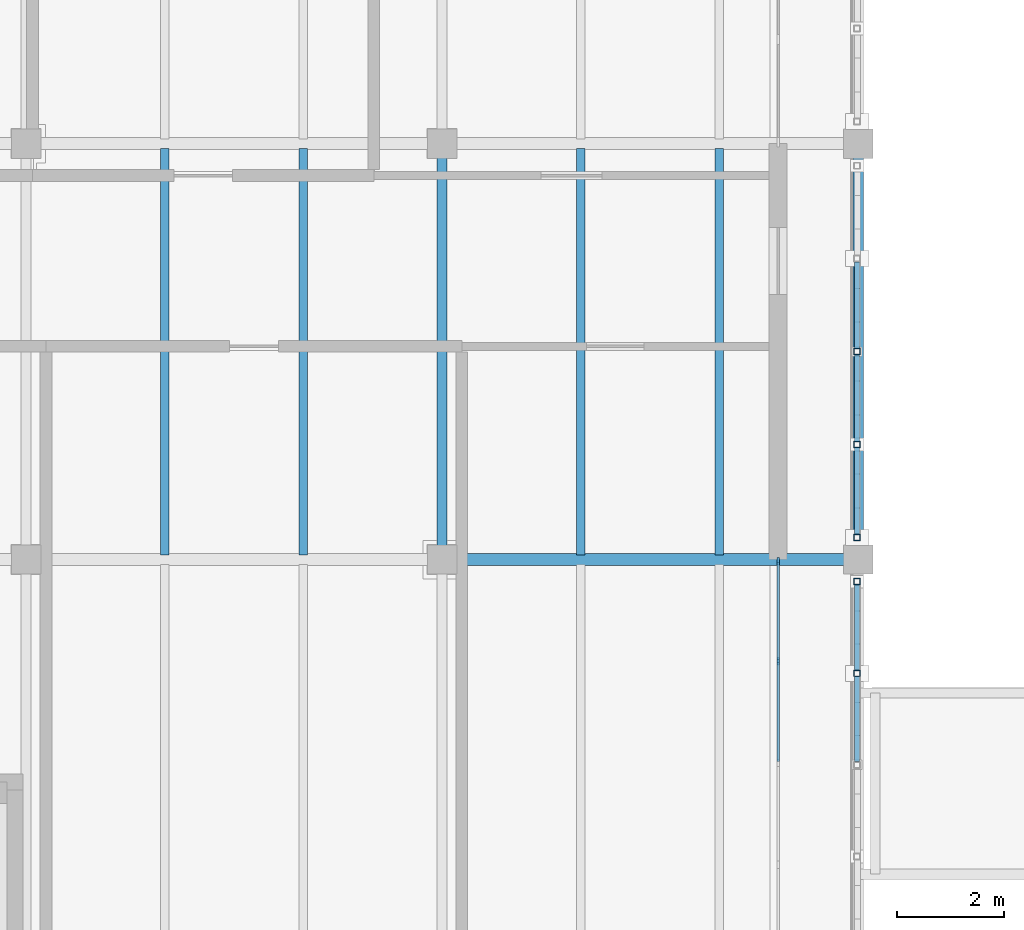
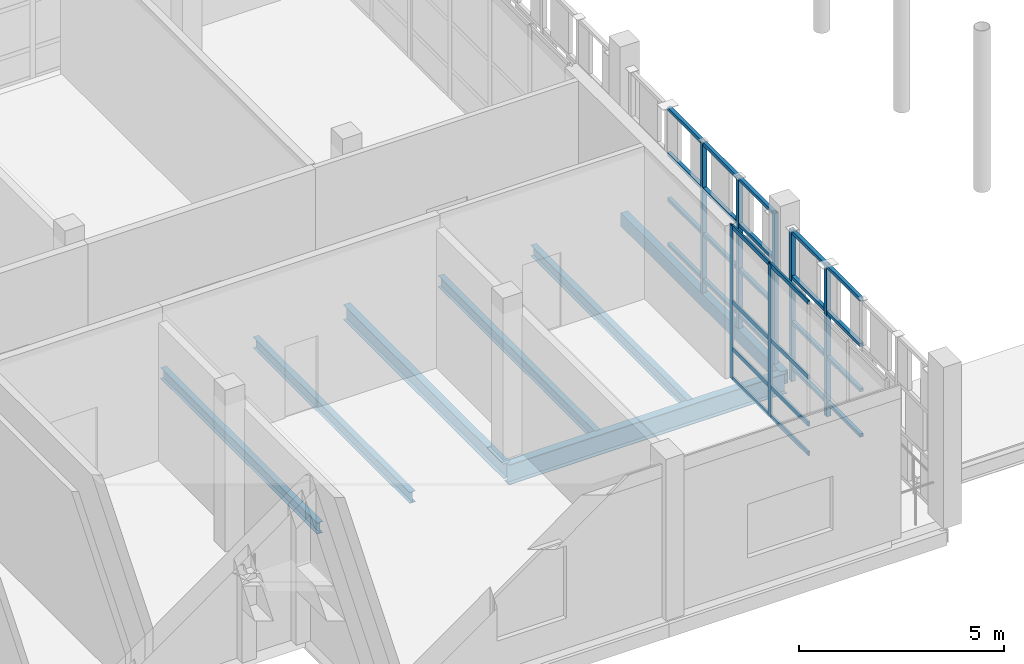
# One storey, part 35 of 138: 35 members, 7 beams, 1 element without a shape of its own.
"""IFC4 building model written with IfcOpenShell, lengths in metres."""

from ifc_helpers import new_model, si_unit, direction, frame, origin, origin_2d, place, context, subcontext, project, spatial, rectangle, hollow_rectangle, i_section, extrude, material, layer, layer_set, material_profile, profile_set, type_object, element, aggregate, save


model = new_model("IFC4")

# Units and contexts
model_context = context("Model", 3, precision=1e-05, world=origin(), true_north=direction((0.0, 1.0)))
body_context = subcontext(model_context, "Body", "Model", "MODEL_VIEW")
ifc_project = project(units=[si_unit("LENGTHUNIT", "METRE"), si_unit("AREAUNIT", "SQUARE_METRE"), si_unit("VOLUMEUNIT", "CUBIC_METRE"), si_unit("PLANEANGLEUNIT", "RADIAN"), si_unit("MASSUNIT", "GRAM", prefix="KILO")], contexts=[model_context])

# Site, building, storey
site_placement = place(None, origin())
site = spatial("IfcSite", under=ifc_project, at=site_placement, CompositionType="ELEMENT")
building_placement = place(site_placement, origin())
building = spatial("IfcBuilding", under=site, at=building_placement, Name="Celorna Specialist Clinic", CompositionType="ELEMENT")
storey_placement = place(building_placement, frame((0.0, 0.0, 4.800048828125)))
storey = spatial("IfcBuildingStorey", under=building, at=storey_placement, Name="L01", CompositionType="ELEMENT", Elevation=4.800048828125)

# Beams
ifc_material_1 = material(Name="Steel S355", Category="steel")
ifc_material_profile_1 = material_profile(ifc_material_1, i_section(OverallWidth=0.219970703125, OverallDepth=0.60009765625, WebThickness=0.011962890625, FlangeThickness=0.01904296875, at=origin_2d()), Name="IPE 600")
ifc_profile_set_1 = profile_set([ifc_material_profile_1], Name="Steel S355")
beam_type_1 = type_object("IfcBeamType", Name="BM-06", PredefinedType="BEAM", material=ifc_profile_set_1)
beam_1_placement = place(storey_placement, frame((39.0, 42.89990234375, -0.64013671875), z_axis=(1.0, 0.0, 0.0), x_axis=(0.0, 1.0, 0.0)))
element("IfcBeam", 1, at=beam_1_placement, inside=storey, type_object=beam_type_1, Name="Primary girder BM-06 #368", PredefinedType="BEAM", context=body_context, shape_type="SweptSolid", body=[
    extrude(i_section(OverallWidth=0.219970703125, OverallDepth=0.60009765625, WebThickness=0.011962890625, FlangeThickness=0.01904296875, at=origin_2d()), origin(), (0.0, 0.0, 1.0), 7.800048828125),
])
ifc_material_profile_2 = material_profile(ifc_material_1, i_section(OverallWidth=0.18994140625, OverallDepth=0.449951171875, WebThickness=0.009521484375, FlangeThickness=0.0146484375, at=origin_2d()), Name="IPE 450")
ifc_profile_set_2 = profile_set([ifc_material_profile_2], Name="Steel S355")
beam_type_2 = type_object("IfcBeamType", Name="BM-09", PredefinedType="BEAM", material=ifc_profile_set_2)
beam_2_placement = place(storey_placement, frame((39.0, 42.89990234375, -0.56494140625), z_axis=(0.0, 1.0, 0.0), x_axis=(-1.0, 0.0, 0.0)))
element("IfcBeam", 2, at=beam_2_placement, inside=storey, type_object=beam_type_2, Name="Transverse girder BM-09 #407", PredefinedType="BEAM", context=body_context, shape_type="SweptSolid", body=[
    extrude(i_section(OverallWidth=0.18994140625, OverallDepth=0.449951171875, WebThickness=0.009521484375, FlangeThickness=0.0146484375, at=origin_2d()), origin(), (0.0, 0.0, 1.0), 7.800048828125),
])
ifc_material_profile_3 = material_profile(ifc_material_1, i_section(OverallWidth=0.159912109375, OverallDepth=0.330078125, WebThickness=0.007568359375, FlangeThickness=0.011474609375, at=origin_2d()), Name="IPE 330")
ifc_profile_set_3 = profile_set([ifc_material_profile_3], Name="Steel S355")
beam_type_3 = type_object("IfcBeamType", Name="BM-12", PredefinedType="JOIST", material=ifc_profile_set_3)
for number, where, z_axis, x_axis, name in (
    (3, (33.800048828125, 42.988037109375, -0.505126953125), (0.0, 1.0, 0.0), (-1.0, 0.0, 0.0), "Secondary floor joist BM-12 #440"),
    (4, (36.39990234375, 42.988037109375, -0.505126953125), (0.0, 1.0, 0.0), (-1.0, 0.0, 0.0), "Secondary floor joist BM-12 #441"),
    (5, (41.60009765625, 42.988037109375, -0.505126953125), (0.0, 1.0, 0.0), (-1.0, 0.0, 0.0), "Secondary floor joist BM-12 #448"),
    (6, (44.199951171875, 42.988037109375, -0.505126953125), (0.0, 1.0, 0.0), (-1.0, 0.0, 0.0), "Secondary floor joist BM-12 #449"),
):
    element("IfcBeam", number, at=place(storey_placement, frame(where, z_axis=z_axis, x_axis=x_axis)), inside=storey, type_object=beam_type_3, Name=name, PredefinedType="JOIST", context=body_context, shape_type="SweptSolid", body=[
        extrude(i_section(OverallWidth=0.159912109375, OverallDepth=0.330078125, WebThickness=0.007568359375, FlangeThickness=0.011474609375, at=origin_2d()), origin(), (0.0, 0.0, 1.0), 7.6240234375),
    ])
ifc_material_profile_4 = material_profile(ifc_material_1, hollow_rectangle(XDim=0.199951171875, YDim=0.39990234375, WallThickness=0.011962890625, at=origin_2d()), Name="RHS 200x400x12")
ifc_profile_set_4 = profile_set([ifc_material_profile_4], Name="Steel S355")
beam_type_4 = type_object("IfcBeamType", Name="BM-15", PredefinedType="SPANDREL", material=ifc_profile_set_4)
beam_3_placement = place(storey_placement, frame((46.800048828125, 42.89990234375, -0.5400390625), z_axis=(0.0, 1.0, 0.0), x_axis=(-1.0, 0.0, 0.0)))
element("IfcBeam", 7, at=beam_3_placement, inside=storey, type_object=beam_type_4, Name="Spandrel beam BM-15 #411", PredefinedType="SPANDREL", context=body_context, shape_type="SweptSolid", body=[
    extrude(hollow_rectangle(XDim=0.199951171875, YDim=0.39990234375, WallThickness=0.011962890625, at=origin_2d()), origin(), (0.0, 0.0, 1.0), 7.800048828125),
])

# Members
ifc_material_profile_5 = material_profile(ifc_material_1, hollow_rectangle(XDim=0.1201171875, YDim=0.1201171875, WallThickness=0.008056640625, at=origin_2d()), Name="SHS 120x120x8")
ifc_profile_set_5 = profile_set([ifc_material_profile_5], Name="Steel S355")
member_type_1 = type_object("IfcMemberType", Name="MB-11", PredefinedType="STUD", material=ifc_profile_set_5)
for number, where, z_axis, x_axis, name in (
    (8, (46.780029296875, 40.767578125, -0.360107421875), (0.0, 0.0, 1.0), (1.0, 0.0, 0.0), "Perforated screen steel post #1468"),
    (9, (46.780029296875, 42.485107421875, -0.360107421875), (0.0, 0.0, 1.0), (1.0, 0.0, 0.0), "Perforated screen steel post #1469"),
    (10, (46.780029296875, 43.31494140625, -0.360107421875), (0.0, 0.0, 1.0), (1.0, 0.0, 0.0), "Perforated screen steel post #1486"),
    (11, (46.780029296875, 45.0576171875, -0.360107421875), (0.0, 0.0, 1.0), (1.0, 0.0, 0.0), "Perforated screen steel post #1487"),
    (12, (46.780029296875, 46.800048828125, -0.360107421875), (0.0, 0.0, 1.0), (1.0, 0.0, 0.0), "Perforated screen steel post #1488"),
):
    element("IfcMember", number, at=place(storey_placement, frame(where, z_axis=z_axis, x_axis=x_axis)), inside=storey, type_object=member_type_1, Name=name, PredefinedType="STUD", context=body_context, shape_type="SweptSolid", body=[
        extrude(hollow_rectangle(XDim=0.1201171875, YDim=0.1201171875, WallThickness=0.008056640625, at=origin_2d()), origin(), (0.0, 0.0, 1.0), 4.5),
    ])
ifc_material_profile_6 = material_profile(ifc_material_1, hollow_rectangle(XDim=0.10009765625, YDim=0.10009765625, WallThickness=0.006103515625, at=origin_2d()), Name="SHS 100x100x6")
ifc_profile_set_6 = profile_set([ifc_material_profile_6], Name="Steel S355")
member_type_2 = type_object("IfcMemberType", Name="MB-12", PredefinedType="STUD", material=ifc_profile_set_6)
for number, where, z_axis, x_axis, name in (
    (13, (46.780029296875, 39.110107421875, 0.050048828125), (0.0, 1.0, 0.0), (-1.0, 0.0, 0.0), "Perforated screen rail #1478"),
    (14, (46.780029296875, 39.110107421875, 1.396728515625), (0.0, 1.0, 0.0), (-1.0, 0.0, 0.0), "Perforated screen rail #1479"),
    (15, (46.780029296875, 39.110107421875, 2.7431640625), (0.0, 1.0, 0.0), (-1.0, 0.0, 0.0), "Perforated screen rail #1480"),
    (16, (46.780029296875, 39.110107421875, 4.08984375), (0.0, 1.0, 0.0), (-1.0, 0.0, 0.0), "Perforated screen rail #1481"),
):
    element("IfcMember", number, at=place(storey_placement, frame(where, z_axis=z_axis, x_axis=x_axis)), inside=storey, type_object=member_type_2, Name=name, PredefinedType="STUD", context=body_context, shape_type="SweptSolid", body=[
        extrude(hollow_rectangle(XDim=0.10009765625, YDim=0.10009765625, WallThickness=0.006103515625, at=origin_2d()), origin(), (0.0, 0.0, 1.0), 1.597412109375),
    ])
for number, where, z_axis, x_axis, name in (
    (17, (46.780029296875, 40.827392578125, 0.050048828125), (0.0, 1.0, 0.0), (-1.0, 0.0, 0.0), "Perforated screen rail #1482"),
    (18, (46.780029296875, 40.827392578125, 1.396728515625), (0.0, 1.0, 0.0), (-1.0, 0.0, 0.0), "Perforated screen rail #1483"),
    (19, (46.780029296875, 40.827392578125, 2.7431640625), (0.0, 1.0, 0.0), (-1.0, 0.0, 0.0), "Perforated screen rail #1484"),
    (20, (46.780029296875, 40.827392578125, 4.08984375), (0.0, 1.0, 0.0), (-1.0, 0.0, 0.0), "Perforated screen rail #1485"),
):
    element("IfcMember", number, at=place(storey_placement, frame(where, z_axis=z_axis, x_axis=x_axis)), inside=storey, type_object=member_type_2, Name=name, PredefinedType="STUD", context=body_context, shape_type="SweptSolid", body=[
        extrude(hollow_rectangle(XDim=0.10009765625, YDim=0.10009765625, WallThickness=0.006103515625, at=origin_2d()), origin(), (0.0, 0.0, 1.0), 1.59765625),
    ])
for number, where, z_axis, x_axis, name in (
    (21, (46.780029296875, 43.375, 0.050048828125), (0.0, 1.0, 0.0), (-1.0, 0.0, 0.0), "Perforated screen rail #1491"),
    (22, (46.780029296875, 43.375, 1.396728515625), (0.0, 1.0, 0.0), (-1.0, 0.0, 0.0), "Perforated screen rail #1492"),
    (23, (46.780029296875, 43.375, 2.7431640625), (0.0, 1.0, 0.0), (-1.0, 0.0, 0.0), "Perforated screen rail #1493"),
    (24, (46.780029296875, 43.375, 4.08984375), (0.0, 1.0, 0.0), (-1.0, 0.0, 0.0), "Perforated screen rail #1494"),
    (25, (46.780029296875, 45.117431640625, 0.050048828125), (0.0, 1.0, 0.0), (-1.0, 0.0, 0.0), "Perforated screen rail #1495"),
    (26, (46.780029296875, 45.117431640625, 1.396728515625), (0.0, 1.0, 0.0), (-1.0, 0.0, 0.0), "Perforated screen rail #1496"),
    (27, (46.780029296875, 45.117431640625, 2.7431640625), (0.0, 1.0, 0.0), (-1.0, 0.0, 0.0), "Perforated screen rail #1497"),
    (28, (46.780029296875, 45.117431640625, 4.08984375), (0.0, 1.0, 0.0), (-1.0, 0.0, 0.0), "Perforated screen rail #1498"),
):
    element("IfcMember", number, at=place(storey_placement, frame(where, z_axis=z_axis, x_axis=x_axis)), inside=storey, type_object=member_type_2, Name=name, PredefinedType="STUD", context=body_context, shape_type="SweptSolid", body=[
        extrude(hollow_rectangle(XDim=0.10009765625, YDim=0.10009765625, WallThickness=0.006103515625, at=origin_2d()), origin(), (0.0, 0.0, 1.0), 1.62255859375),
    ])
for number, where, z_axis, x_axis, name in (
    (29, (46.780029296875, 46.860107421875, 0.050048828125), (0.0, 1.0, 0.0), (-1.0, 0.0, 0.0), "Perforated screen rail #1499"),
    (30, (46.780029296875, 46.860107421875, 1.396728515625), (0.0, 1.0, 0.0), (-1.0, 0.0, 0.0), "Perforated screen rail #1500"),
    (31, (46.780029296875, 46.860107421875, 2.7431640625), (0.0, 1.0, 0.0), (-1.0, 0.0, 0.0), "Perforated screen rail #1501"),
    (32, (46.780029296875, 46.860107421875, 4.08984375), (0.0, 1.0, 0.0), (-1.0, 0.0, 0.0), "Perforated screen rail #1502"),
):
    element("IfcMember", number, at=place(storey_placement, frame(where, z_axis=z_axis, x_axis=x_axis)), inside=storey, type_object=member_type_2, Name=name, PredefinedType="STUD", context=body_context, shape_type="SweptSolid", body=[
        extrude(hollow_rectangle(XDim=0.10009765625, YDim=0.10009765625, WallThickness=0.006103515625, at=origin_2d()), origin(), (0.0, 0.0, 1.0), 1.622314453125),
    ])

# Curtain wall, members
ifc_material_2 = material(Name="Thermally broken aluminium and solar-control glass curtain wall", Category="aluminium")
ifc_layer = layer(ifc_material_2, 0.159912109375, Name="Thermally broken aluminium and solar-control glass curtain wall")
ifc_layer_set = layer_set([ifc_layer], Name="Thermally broken aluminium and solar-control glass curtain wall")
curtain_wall_type = type_object("IfcCurtainWallType", Name="CW-25", PredefinedType="NOTDEFINED", material=ifc_layer_set)
curtain_wall_placement = place(storey_placement, origin())
curtain_wall = element("IfcCurtainWall", 33, at=curtain_wall_placement, inside=storey, type_object=curtain_wall_type, Name="Curtain wall CW-25 #54", PredefinedType="NOTDEFINED")
ifc_material_3 = material(Name="Anodized aluminium mullion", Category="aluminium")
ifc_material_profile_7 = material_profile(ifc_material_3, rectangle(XDim=0.050048828125, YDim=0.139892578125, at=origin_2d()), Name="ALU MULLION 50x140")
ifc_profile_set_7 = profile_set([ifc_material_profile_7], Name="Anodized aluminium mullion")
member_type_3 = type_object("IfcMemberType", Name="ML-03", PredefinedType="MULLION", material=ifc_profile_set_7)
member_1_placement = place(storey_placement, frame((45.300048828125, 42.87109375, 0.0), z_axis=(0.0, 0.0, 1.0), x_axis=(1.0, 0.0, 0.0)))
member_1 = element("IfcMember", 34, at=member_1_placement, type_object=member_type_3, Name="CW-25 mullion 1", PredefinedType="MULLION", context=body_context, shape_type="SweptSolid", body=[
    extrude(rectangle(XDim=0.050048828125, YDim=0.139892578125, at=origin_2d()), origin(), (0.0, 0.0, 1.0), 4.5400390625),
])
member_2_placement = place(storey_placement, frame((45.300048828125, 40.990478515625, 0.0), z_axis=(0.0, 0.0, 1.0), x_axis=(1.0, 0.0, 0.0)))
member_2 = element("IfcMember", 35, at=member_2_placement, type_object=member_type_3, Name="CW-25 mullion 2", PredefinedType="MULLION", context=body_context, shape_type="SweptSolid", body=[
    extrude(rectangle(XDim=0.050048828125, YDim=0.139892578125, at=origin_2d()), origin(), (0.0, 0.0, 1.0), 4.5400390625),
])
ifc_material_4 = material(Name="Anodized aluminium transom", Category="aluminium")
ifc_material_profile_8 = material_profile(ifc_material_4, rectangle(XDim=0.050048828125, YDim=0.1298828125, at=origin_2d()), Name="ALU TRANSOM 50x130")
ifc_profile_set_8 = profile_set([ifc_material_profile_8], Name="Anodized aluminium transom")
member_type_4 = type_object("IfcMemberType", Name="TR-01", PredefinedType="USERDEFINED", material=ifc_profile_set_8)
member_3_placement = place(storey_placement, frame((45.300048828125, 42.845947265625, 0.02490234375), z_axis=(0.0, -1.0, 0.0), x_axis=(1.0, 0.0, 0.0)))
member_3 = element("IfcMember", 36, at=member_3_placement, type_object=member_type_4, Name="CW-25 transom 1.1", ObjectType="TRANSOM", PredefinedType="USERDEFINED", context=body_context, shape_type="SweptSolid", body=[
    extrude(rectangle(XDim=0.050048828125, YDim=0.1298828125, at=origin_2d()), origin(), (0.0, 0.0, 1.0), 1.83056640625),
])
member_4_placement = place(storey_placement, frame((45.300048828125, 42.845947265625, 0.89990234375), z_axis=(0.0, -1.0, 0.0), x_axis=(1.0, 0.0, 0.0)))
member_4 = element("IfcMember", 37, at=member_4_placement, type_object=member_type_4, Name="CW-25 transom 1.2", ObjectType="TRANSOM", PredefinedType="USERDEFINED", context=body_context, shape_type="SweptSolid", body=[
    extrude(rectangle(XDim=0.050048828125, YDim=0.1298828125, at=origin_2d()), origin(), (0.0, 0.0, 1.0), 1.83056640625),
])
member_5_placement = place(storey_placement, frame((45.300048828125, 42.845947265625, 2.300048828125), z_axis=(0.0, -1.0, 0.0), x_axis=(1.0, 0.0, 0.0)))
member_5 = element("IfcMember", 38, at=member_5_placement, type_object=member_type_4, Name="CW-25 transom 1.3", ObjectType="TRANSOM", PredefinedType="USERDEFINED", context=body_context, shape_type="SweptSolid", body=[
    extrude(rectangle(XDim=0.050048828125, YDim=0.1298828125, at=origin_2d()), origin(), (0.0, 0.0, 1.0), 1.83056640625),
])
member_6_placement = place(storey_placement, frame((45.300048828125, 42.845947265625, 4.514892578125), z_axis=(0.0, -1.0, 0.0), x_axis=(1.0, 0.0, 0.0)))
member_6 = element("IfcMember", 39, at=member_6_placement, type_object=member_type_4, Name="CW-25 transom 1.4", ObjectType="TRANSOM", PredefinedType="USERDEFINED", context=body_context, shape_type="SweptSolid", body=[
    extrude(rectangle(XDim=0.050048828125, YDim=0.1298828125, at=origin_2d()), origin(), (0.0, 0.0, 1.0), 1.83056640625),
])
member_7_placement = place(storey_placement, frame((45.300048828125, 40.965576171875, 0.02490234375), z_axis=(0.0, -1.0, 0.0), x_axis=(1.0, 0.0, 0.0)))
member_7 = element("IfcMember", 40, at=member_7_placement, type_object=member_type_4, Name="CW-25 transom 2.1", ObjectType="TRANSOM", PredefinedType="USERDEFINED", context=body_context, shape_type="SweptSolid", body=[
    extrude(rectangle(XDim=0.050048828125, YDim=0.1298828125, at=origin_2d()), origin(), (0.0, 0.0, 1.0), 1.85546875),
])
member_8_placement = place(storey_placement, frame((45.300048828125, 40.965576171875, 0.89990234375), z_axis=(0.0, -1.0, 0.0), x_axis=(1.0, 0.0, 0.0)))
member_8 = element("IfcMember", 41, at=member_8_placement, type_object=member_type_4, Name="CW-25 transom 2.2", ObjectType="TRANSOM", PredefinedType="USERDEFINED", context=body_context, shape_type="SweptSolid", body=[
    extrude(rectangle(XDim=0.050048828125, YDim=0.1298828125, at=origin_2d()), origin(), (0.0, 0.0, 1.0), 1.85546875),
])
member_9_placement = place(storey_placement, frame((45.300048828125, 40.965576171875, 2.300048828125), z_axis=(0.0, -1.0, 0.0), x_axis=(1.0, 0.0, 0.0)))
member_9 = element("IfcMember", 42, at=member_9_placement, type_object=member_type_4, Name="CW-25 transom 2.3", ObjectType="TRANSOM", PredefinedType="USERDEFINED", context=body_context, shape_type="SweptSolid", body=[
    extrude(rectangle(XDim=0.050048828125, YDim=0.1298828125, at=origin_2d()), origin(), (0.0, 0.0, 1.0), 1.85546875),
])
member_10_placement = place(storey_placement, frame((45.300048828125, 40.965576171875, 4.514892578125), z_axis=(0.0, -1.0, 0.0), x_axis=(1.0, 0.0, 0.0)))
member_10 = element("IfcMember", 43, at=member_10_placement, type_object=member_type_4, Name="CW-25 transom 2.4", ObjectType="TRANSOM", PredefinedType="USERDEFINED", context=body_context, shape_type="SweptSolid", body=[
    extrude(rectangle(XDim=0.050048828125, YDim=0.1298828125, at=origin_2d()), origin(), (0.0, 0.0, 1.0), 1.85546875),
])
aggregate(curtain_wall, [member_1, member_2, member_3, member_4, member_5, member_6, member_7, member_8, member_9, member_10])

save(model, "model.ifc")
